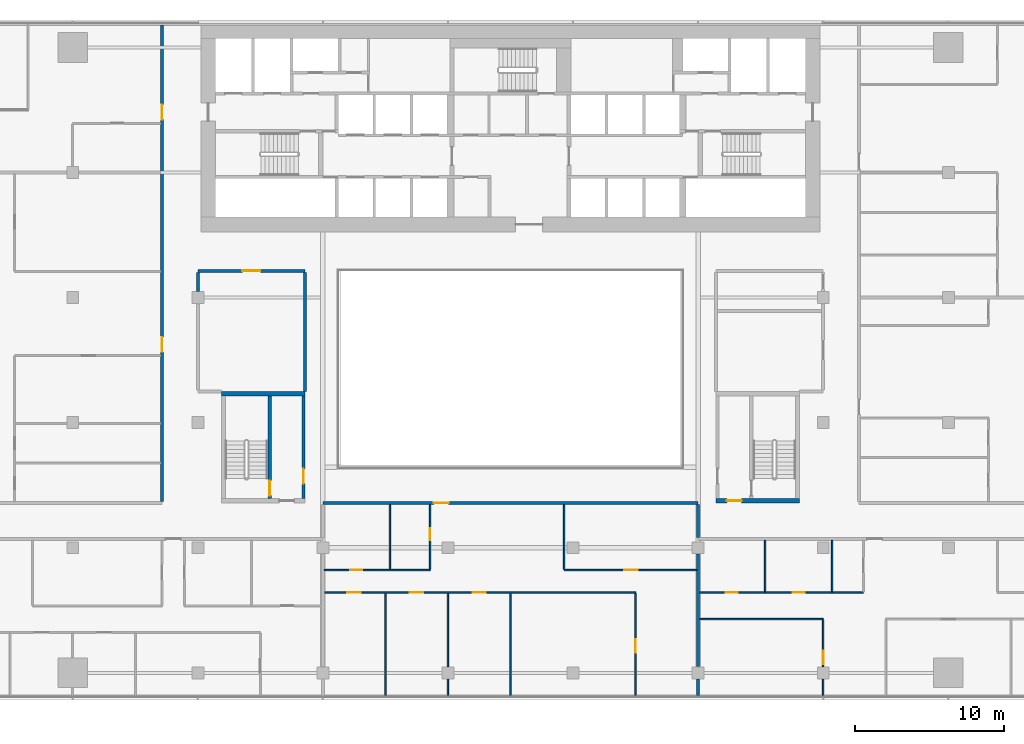
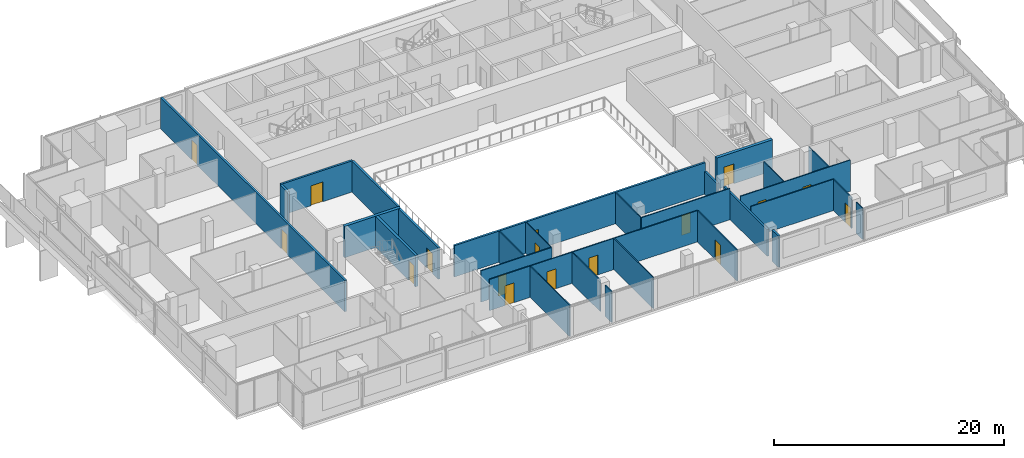
# One storey, part 17 of 25: 29 walls, 17 doors, 17 openings.
"""IFC4 building model written with IfcOpenShell, lengths in metres."""

from ifc_helpers import new_model, si_unit, direction, frame, frame_2d, origin, place, context, subcontext, project, spatial, rectangle, extrude, material, layer, layer_set, type_object, element, fill, save


model = new_model("IFC4")

# Units and contexts
model_context = context("Model", 3, precision=1e-05, world=origin(), true_north=direction((0.0, 1.0)))
body_context = subcontext(model_context, "Body", "Model", "MODEL_VIEW")
ifc_project = project(units=[si_unit("LENGTHUNIT", "METRE"), si_unit("AREAUNIT", "SQUARE_METRE"), si_unit("VOLUMEUNIT", "CUBIC_METRE"), si_unit("PLANEANGLEUNIT", "RADIAN"), si_unit("MASSUNIT", "GRAM", prefix="KILO")], contexts=[model_context])

# Site, building, storey
site_placement = place(None, origin())
site = spatial("IfcSite", under=ifc_project, at=site_placement, CompositionType="ELEMENT")
building_placement = place(site_placement, origin())
building = spatial("IfcBuilding", under=site, at=building_placement, Name="Saffron Gate Tower", CompositionType="ELEMENT")
storey_placement = place(building_placement, frame((0.0, 0.0, 131.25)))
storey = spatial("IfcBuildingStorey", under=building, at=storey_placement, Name="L31", CompositionType="ELEMENT", Elevation=131.25)

# Wall, opening, door
ifc_material_1 = material(Name="Gypsum board partition on steel studs", Category="steel")
ifc_layer_1 = layer(ifc_material_1, 0.199951171875)
ifc_layer_set_1 = layer_set([ifc_layer_1], Name="CW10 Core partition 200")
wall_type_1 = type_object("IfcWallType", Name="CW10 Core partition 200", PredefinedType="PARTITIONING", material=ifc_layer_set_1)
wall_1_placement = place(storey_placement, frame((73.699951171875, 43.5, 0.0), z_axis=(0.0, 0.0, 1.0), x_axis=(0.0, 1.0, 0.0)))
wall_1 = element("IfcWall", 1, at=wall_1_placement, inside=storey, type_object=wall_type_1, Name="Wall CW10-L31-D-4", PredefinedType="PARTITIONING", context=body_context, shape_type="SweptSolid", body=[
    extrude(rectangle(XDim=6.89990234375, YDim=0.199951171875, at=frame_2d((3.449951171875, 0.0))), origin(), (0.0, 0.0, 1.0), 3.320068359375),
])
opening_1_placement = place(wall_1_placement, frame((1.0, 0.0, 0.0)))
opening_1 = element("IfcOpeningElement", 2, at=opening_1_placement, cuts=wall_1, Name="Opening CR-19", PredefinedType="OPENING", context=body_context, shape_type="SweptSolid", body=[
    extrude(rectangle(XDim=1.0, YDim=2.10009765625, at=frame_2d((0.5, 1.050048828125))), frame((0.0, 0.10986328125, 0.0), z_axis=(0.0, -1.0, 0.0), x_axis=(1.0, 0.0, 0.0)), (0.0, 0.0, 1.0), 0.219970703125),
])
ifc_material_2 = material(Name="Steel fire door set", Category="steel")
door_type_1 = type_object("IfcDoorType", Name="CD4 Lobby door 1000x2100 EI 120", OperationType="NOTDEFINED", PredefinedType="DOOR", material=ifc_material_2)
door_1_placement = place(opening_1_placement, origin())
door_1 = element("IfcDoor", 3, at=door_1_placement, inside=storey, type_object=door_type_1, Name="DOOR CR-19", OperationType="SINGLE_SWING_RIGHT", OverallHeight=2.10009765625, OverallWidth=1.0, PredefinedType="DOOR", context=body_context, shape_type="SweptSolid", body=[
    extrude(rectangle(XDim=1.0, YDim=2.10009765625, at=frame_2d((0.5, 1.050048828125))), frame((0.0, 0.02490234375, 0.0), z_axis=(0.0, -1.0, 0.0), x_axis=(1.0, 0.0, 0.0)), (0.0, 0.0, 1.0), 0.050048828125),
])
fill(opening_1, door_1)

ifc_material_3 = material(Name="Concrete C70", Category="concrete")
ifc_layer_2 = layer(ifc_material_3, 0.25)
ifc_layer_set_2 = layer_set([ifc_layer_2], Name="CW2 RC core wall 250 C70")
wall_type_2 = type_object("IfcWallType", Name="CW2 RC core wall 250 C70", PredefinedType="SOLIDWALL", material=ifc_layer_set_2)
wall_2_placement = place(storey_placement, frame((71.425048828125, 43.5, 0.0), z_axis=(0.0, 0.0, 1.0), x_axis=(0.0, 1.0, 0.0)))
wall_2 = element("IfcWall", 4, at=wall_2_placement, inside=storey, type_object=wall_type_2, Name="Wall CW2-L31-D-3", PredefinedType="SOLIDWALL", context=body_context, shape_type="SweptSolid", body=[
    extrude(rectangle(XDim=6.89990234375, YDim=0.25, at=frame_2d((3.449951171875, 0.0))), origin(), (0.0, 0.0, 1.0), 3.320068359375),
])
opening_2_placement = place(wall_2_placement, frame((0.199951171875, 0.0, 0.0)))
opening_2 = element("IfcOpeningElement", 5, at=opening_2_placement, cuts=wall_2, Name="Opening CR-20", PredefinedType="OPENING", context=body_context, shape_type="SweptSolid", body=[
    extrude(rectangle(XDim=1.0, YDim=2.10009765625, at=frame_2d((0.5, 1.050048828125))), frame((0.0, 0.135009765625, 0.0), z_axis=(0.0, -1.0, 0.0), x_axis=(1.0, 0.0, 0.0)), (0.0, 0.0, 1.0), 0.27001953125),
])
door_type_2 = type_object("IfcDoorType", Name="CD5 Stair door 1000x2100 EI 120", OperationType="NOTDEFINED", PredefinedType="DOOR", material=ifc_material_2)
door_2_placement = place(opening_2_placement, origin())
door_2 = element("IfcDoor", 6, at=door_2_placement, inside=storey, type_object=door_type_2, Name="DOOR CR-20", OperationType="SINGLE_SWING_LEFT", OverallHeight=2.10009765625, OverallWidth=1.0, PredefinedType="DOOR", context=body_context, shape_type="SweptSolid", body=[
    extrude(rectangle(XDim=1.0, YDim=2.10009765625, at=frame_2d((0.5, 1.050048828125))), frame((0.0, 0.02490234375, 0.0), z_axis=(0.0, -1.0, 0.0), x_axis=(1.0, 0.0, 0.0)), (0.0, 0.0, 1.0), 0.050048828125),
])
fill(opening_2, door_2)

# Wall
ifc_layer_3 = layer(ifc_material_3, 0.300048828125)
ifc_layer_set_3 = layer_set([ifc_layer_3], Name="CW5 RC core wall 300 C70")
wall_type_3 = type_object("IfcWallType", Name="CW5 RC core wall 300 C70", PredefinedType="SOLIDWALL", material=ifc_layer_set_3)
wall_3_placement = place(storey_placement, frame((68.199951171875, 50.550048828125, 0.0), z_axis=(0.0, 0.0, 1.0), x_axis=(1.0, 0.0, 0.0)))
element("IfcWall", 7, at=wall_3_placement, inside=storey, type_object=wall_type_3, Name="Wall CW5-L31-D-5", PredefinedType="SOLIDWALL", context=body_context, shape_type="SweptSolid", body=[
    extrude(rectangle(XDim=5.60009765625, YDim=0.300048828125, at=frame_2d((2.800048828125, 0.0))), origin(), (0.0, 0.0, 1.0), 3.320068359375),
])

# Wall, opening, door
wall_4_placement = place(storey_placement, frame((101.39990234375, 43.35009765625, 0.0), z_axis=(0.0, 0.0, 1.0), x_axis=(1.0, 0.0, 0.0)))
wall_4 = element("IfcWall", 8, at=wall_4_placement, inside=storey, type_object=wall_type_3, Name="Wall CW5-L31-E-1", PredefinedType="SOLIDWALL", context=body_context, shape_type="SweptSolid", body=[
    extrude(rectangle(XDim=5.60009765625, YDim=0.300048828125, at=frame_2d((2.800048828125, 0.0))), origin(), (0.0, 0.0, 1.0), 3.320068359375),
])
opening_3_placement = place(wall_4_placement, frame((0.72509765625, 0.0, 0.0)))
opening_3 = element("IfcOpeningElement", 9, at=opening_3_placement, cuts=wall_4, Name="Opening CR-21", PredefinedType="OPENING", context=body_context, shape_type="SweptSolid", body=[
    extrude(rectangle(XDim=1.0, YDim=2.10009765625, at=frame_2d((0.5, 1.050048828125))), frame((0.0, 0.16015625, 0.0), z_axis=(0.0, -1.0, 0.0), x_axis=(1.0, 0.0, 0.0)), (0.0, 0.0, 1.0), 0.320068359375),
])
door_3_placement = place(opening_3_placement, origin())
door_3 = element("IfcDoor", 10, at=door_3_placement, inside=storey, type_object=door_type_1, Name="DOOR CR-21", OperationType="SINGLE_SWING_RIGHT", OverallHeight=2.10009765625, OverallWidth=1.0, PredefinedType="DOOR", context=body_context, shape_type="SweptSolid", body=[
    extrude(rectangle(XDim=1.0, YDim=2.10009765625, at=frame_2d((0.5, 1.050048828125))), frame((0.0, 0.02490234375, 0.0), z_axis=(0.0, -1.0, 0.0), x_axis=(1.0, 0.0, 0.0)), (0.0, 0.0, 1.0), 0.050048828125),
])
fill(opening_3, door_3)

# Wall
ifc_material_4 = material(Name="Plasterboard on steel studs", Category="steel")
ifc_layer_4 = layer(ifc_material_4, 0.10009765625)
ifc_layer_set_4 = layer_set([ifc_layer_4], Name="PW1 Partition 100")
wall_type_4 = type_object("IfcWallType", Name="PW1 Partition 100", PredefinedType="PARTITIONING", material=ifc_layer_set_4)
wall_5_placement = place(storey_placement, frame((100.300048828125, 35.39990234375, 0.0), z_axis=(0.0, 0.0, 1.0), x_axis=(1.0, 0.0, 0.0)))
element("IfcWall", 11, at=wall_5_placement, inside=storey, type_object=wall_type_4, Name="Partition B4-2", PredefinedType="PARTITIONING", context=body_context, shape_type="SweptSolid", body=[
    extrude(rectangle(XDim=8.300048828125, YDim=0.10009765625, at=frame_2d((4.14990234375, 0.0))), origin(), (0.0, 0.0, 1.0), 3.320068359375),
])

# Wall, openings, doors
wall_6_placement = place(storey_placement, frame((96.0, 37.199951171875, 0.0), z_axis=(0.0, 0.0, 1.0), x_axis=(-1.0, 0.0, 0.0)))
wall_6 = element("IfcWall", 12, at=wall_6_placement, inside=storey, type_object=wall_type_4, Name="Partition B4-6", PredefinedType="PARTITIONING", context=body_context, shape_type="SweptSolid", body=[
    extrude(rectangle(XDim=20.89990234375, YDim=0.10009765625, at=frame_2d((10.449951171875, 0.0))), origin(), (0.0, 0.0, 1.0), 3.320068359375),
])
opening_4_placement = place(wall_6_placement, frame((10.050048828125, 0.0, 0.0)))
opening_4 = element("IfcOpeningElement", 13, at=opening_4_placement, cuts=wall_6, Name="Opening B4-15", PredefinedType="OPENING", context=body_context, shape_type="SweptSolid", body=[
    extrude(rectangle(XDim=0.89990234375, YDim=2.10009765625, at=frame_2d((0.449951171875, 1.050048828125))), frame((0.0, 0.06005859375, 0.0), z_axis=(0.0, -1.0, 0.0), x_axis=(1.0, 0.0, 0.0)), (0.0, 0.0, 1.0), 0.1201171875),
])
opening_5_placement = place(wall_6_placement, frame((14.25, 0.0, 0.0)))
opening_5 = element("IfcOpeningElement", 14, at=opening_5_placement, cuts=wall_6, Name="Opening B4-14", PredefinedType="OPENING", context=body_context, shape_type="SweptSolid", body=[
    extrude(rectangle(XDim=0.89990234375, YDim=2.10009765625, at=frame_2d((0.449951171875, 1.050048828125))), frame((0.0, 0.06005859375, 0.0), z_axis=(0.0, -1.0, 0.0), x_axis=(1.0, 0.0, 0.0)), (0.0, 0.0, 1.0), 0.1201171875),
])
opening_6_placement = place(wall_6_placement, frame((18.449951171875, 0.0, 0.0)))
opening_6 = element("IfcOpeningElement", 15, at=opening_6_placement, cuts=wall_6, Name="Opening B4-13", PredefinedType="OPENING", context=body_context, shape_type="SweptSolid", body=[
    extrude(rectangle(XDim=0.89990234375, YDim=2.10009765625, at=frame_2d((0.449951171875, 1.050048828125))), frame((0.0, 0.06005859375, 0.0), z_axis=(0.0, -1.0, 0.0), x_axis=(1.0, 0.0, 0.0)), (0.0, 0.0, 1.0), 0.1201171875),
])
ifc_material_5 = material(Name="Timber door set", Category="wood")
door_type_3 = type_object("IfcDoorType", Name="RD1 Room door 900x2100", OperationType="NOTDEFINED", PredefinedType="DOOR", material=ifc_material_5)
door_4_placement = place(opening_4_placement, origin())
door_4 = element("IfcDoor", 16, at=door_4_placement, inside=storey, type_object=door_type_3, Name="Door B4-15", OperationType="SINGLE_SWING_RIGHT", OverallHeight=2.10009765625, OverallWidth=0.89990234375, PredefinedType="DOOR", context=body_context, shape_type="SweptSolid", body=[
    extrude(rectangle(XDim=0.89990234375, YDim=2.10009765625, at=frame_2d((0.449951171875, 1.050048828125))), frame((0.0, 0.02490234375, 0.0), z_axis=(0.0, -1.0, 0.0), x_axis=(1.0, 0.0, 0.0)), (0.0, 0.0, 1.0), 0.050048828125),
])
fill(opening_4, door_4)
door_5_placement = place(opening_5_placement, origin())
door_5 = element("IfcDoor", 17, at=door_5_placement, inside=storey, type_object=door_type_3, Name="Door B4-14", OperationType="SINGLE_SWING_RIGHT", OverallHeight=2.10009765625, OverallWidth=0.89990234375, PredefinedType="DOOR", context=body_context, shape_type="SweptSolid", body=[
    extrude(rectangle(XDim=0.89990234375, YDim=2.10009765625, at=frame_2d((0.449951171875, 1.050048828125))), frame((0.0, 0.02490234375, 0.0), z_axis=(0.0, -1.0, 0.0), x_axis=(1.0, 0.0, 0.0)), (0.0, 0.0, 1.0), 0.050048828125),
])
fill(opening_5, door_5)
door_6_placement = place(opening_6_placement, origin())
door_6 = element("IfcDoor", 18, at=door_6_placement, inside=storey, type_object=door_type_3, Name="Door B4-13", OperationType="SINGLE_SWING_RIGHT", OverallHeight=2.10009765625, OverallWidth=0.89990234375, PredefinedType="DOOR", context=body_context, shape_type="SweptSolid", body=[
    extrude(rectangle(XDim=0.89990234375, YDim=2.10009765625, at=frame_2d((0.449951171875, 1.050048828125))), frame((0.0, 0.02490234375, 0.0), z_axis=(0.0, -1.0, 0.0), x_axis=(1.0, 0.0, 0.0)), (0.0, 0.0, 1.0), 0.050048828125),
])
fill(opening_6, door_6)

wall_7_placement = place(storey_placement, frame((100.300048828125, 37.199951171875, 0.0), z_axis=(0.0, 0.0, 1.0), x_axis=(1.0, 0.0, 0.0)))
wall_7 = element("IfcWall", 19, at=wall_7_placement, inside=storey, type_object=wall_type_4, Name="Partition B4-7", PredefinedType="PARTITIONING", context=body_context, shape_type="SweptSolid", body=[
    extrude(rectangle(XDim=11.0, YDim=0.10009765625, at=frame_2d((5.5, 0.0))), origin(), (0.0, 0.0, 1.0), 3.320068359375),
])
opening_7_placement = place(wall_7_placement, frame((1.75, 0.0, 0.0)))
opening_7 = element("IfcOpeningElement", 20, at=opening_7_placement, cuts=wall_7, Name="Opening B4-40", PredefinedType="OPENING", context=body_context, shape_type="SweptSolid", body=[
    extrude(rectangle(XDim=0.800048828125, YDim=2.10009765625, at=frame_2d((0.39990234375, 1.050048828125))), frame((0.0, 0.06005859375, 0.0), z_axis=(0.0, -1.0, 0.0), x_axis=(1.0, 0.0, 0.0)), (0.0, 0.0, 1.0), 0.1201171875),
])
opening_8_placement = place(wall_7_placement, frame((6.25, 0.0, 0.0)))
opening_8 = element("IfcOpeningElement", 21, at=opening_8_placement, cuts=wall_7, Name="Opening B4-41", PredefinedType="OPENING", context=body_context, shape_type="SweptSolid", body=[
    extrude(rectangle(XDim=0.800048828125, YDim=2.10009765625, at=frame_2d((0.39990234375, 1.050048828125))), frame((0.0, 0.06005859375, 0.0), z_axis=(0.0, -1.0, 0.0), x_axis=(1.0, 0.0, 0.0)), (0.0, 0.0, 1.0), 0.1201171875),
])
door_type_4 = type_object("IfcDoorType", Name="RD2 Bathroom door 800x2100", OperationType="NOTDEFINED", PredefinedType="DOOR", material=ifc_material_5)
door_7_placement = place(opening_7_placement, origin())
door_7 = element("IfcDoor", 22, at=door_7_placement, inside=storey, type_object=door_type_4, Name="Door B4-40", OperationType="SINGLE_SWING_LEFT", OverallHeight=2.10009765625, OverallWidth=0.800048828125, PredefinedType="DOOR", context=body_context, shape_type="SweptSolid", body=[
    extrude(rectangle(XDim=0.800048828125, YDim=2.10009765625, at=frame_2d((0.39990234375, 1.050048828125))), frame((0.0, 0.02490234375, 0.0), z_axis=(0.0, -1.0, 0.0), x_axis=(1.0, 0.0, 0.0)), (0.0, 0.0, 1.0), 0.050048828125),
])
fill(opening_7, door_7)
door_8_placement = place(opening_8_placement, origin())
door_8 = element("IfcDoor", 23, at=door_8_placement, inside=storey, type_object=door_type_4, Name="Door B4-41", OperationType="SINGLE_SWING_RIGHT", OverallHeight=2.10009765625, OverallWidth=0.800048828125, PredefinedType="DOOR", context=body_context, shape_type="SweptSolid", body=[
    extrude(rectangle(XDim=0.800048828125, YDim=2.10009765625, at=frame_2d((0.39990234375, 1.050048828125))), frame((0.0, 0.02490234375, 0.0), z_axis=(0.0, -1.0, 0.0), x_axis=(1.0, 0.0, 0.0)), (0.0, 0.0, 1.0), 0.050048828125),
])
fill(opening_8, door_8)

# Wall, opening, door
wall_8_placement = place(storey_placement, frame((75.10009765625, 38.699951171875, 0.0), z_axis=(0.0, 0.0, 1.0), x_axis=(1.0, 0.0, 0.0)))
wall_8 = element("IfcWall", 24, at=wall_8_placement, inside=storey, type_object=wall_type_4, Name="Partition B4-9", PredefinedType="PARTITIONING", context=body_context, shape_type="SweptSolid", body=[
    extrude(rectangle(XDim=7.099853515625, YDim=0.10009765625, at=frame_2d((3.5498046875, 0.0))), origin(), (0.0, 0.0, 1.0), 3.320068359375),
])
opening_9_placement = place(wall_8_placement, frame((1.75, 0.0, 0.0)))
opening_9 = element("IfcOpeningElement", 25, at=opening_9_placement, cuts=wall_8, Name="Opening B4-38", PredefinedType="OPENING", context=body_context, shape_type="SweptSolid", body=[
    extrude(rectangle(XDim=0.800048828125, YDim=2.10009765625, at=frame_2d((0.39990234375, 1.050048828125))), frame((0.0, 0.06005859375, 0.0), z_axis=(0.0, -1.0, 0.0), x_axis=(1.0, 0.0, 0.0)), (0.0, 0.0, 1.0), 0.1201171875),
])
door_9_placement = place(opening_9_placement, origin())
door_9 = element("IfcDoor", 26, at=door_9_placement, inside=storey, type_object=door_type_4, Name="Door B4-38", OperationType="SINGLE_SWING_LEFT", OverallHeight=2.10009765625, OverallWidth=0.800048828125, PredefinedType="DOOR", context=body_context, shape_type="SweptSolid", body=[
    extrude(rectangle(XDim=0.800048828125, YDim=2.10009765625, at=frame_2d((0.39990234375, 1.050048828125))), frame((0.0, 0.02490234375, 0.0), z_axis=(0.0, -1.0, 0.0), x_axis=(1.0, 0.0, 0.0)), (0.0, 0.0, 1.0), 0.050048828125),
])
fill(opening_9, door_9)

wall_9_placement = place(storey_placement, frame((91.199951171875, 38.699951171875, 0.0), z_axis=(0.0, 0.0, 1.0), x_axis=(1.0, 0.0, 0.0)))
wall_9 = element("IfcWall", 27, at=wall_9_placement, inside=storey, type_object=wall_type_4, Name="Partition B4-10", PredefinedType="PARTITIONING", context=body_context, shape_type="SweptSolid", body=[
    extrude(rectangle(XDim=8.900146484375, YDim=0.10009765625, at=frame_2d((4.4501953125, 0.0))), origin(), (0.0, 0.0, 1.0), 3.320068359375),
])
opening_10_placement = place(wall_9_placement, frame((4.050048828125, 0.0, 0.0)))
opening_10 = element("IfcOpeningElement", 28, at=opening_10_placement, cuts=wall_9, Name="Opening B4-17", PredefinedType="OPENING", context=body_context, shape_type="SweptSolid", body=[
    extrude(rectangle(XDim=0.89990234375, YDim=2.10009765625, at=frame_2d((0.449951171875, 1.050048828125))), frame((0.0, 0.06005859375, 0.0), z_axis=(0.0, -1.0, 0.0), x_axis=(1.0, 0.0, 0.0)), (0.0, 0.0, 1.0), 0.1201171875),
])
door_10_placement = place(opening_10_placement, origin())
door_10 = element("IfcDoor", 29, at=door_10_placement, inside=storey, type_object=door_type_3, Name="Door B4-17", OperationType="SINGLE_SWING_RIGHT", OverallHeight=2.10009765625, OverallWidth=0.89990234375, PredefinedType="DOOR", context=body_context, shape_type="SweptSolid", body=[
    extrude(rectangle(XDim=0.89990234375, YDim=2.10009765625, at=frame_2d((0.449951171875, 1.050048828125))), frame((0.0, 0.02490234375, 0.0), z_axis=(0.0, -1.0, 0.0), x_axis=(1.0, 0.0, 0.0)), (0.0, 0.0, 1.0), 0.050048828125),
])
fill(opening_10, door_10)

# Walls
wall_10_placement = place(storey_placement, frame((79.199951171875, 37.14990234375, 0.0), z_axis=(0.0, 0.0, 1.0), x_axis=(0.0, -1.0, 0.0)))
element("IfcWall", 30, at=wall_10_placement, inside=storey, type_object=wall_type_4, Name="Partition B4-74", PredefinedType="PARTITIONING", context=body_context, shape_type="SweptSolid", body=[
    extrude(rectangle(XDim=6.869873046875, YDim=0.10009765625, at=frame_2d((3.43505859375, 0.0))), origin(), (0.0, 0.0, 1.0), 3.320068359375),
])
wall_11_placement = place(storey_placement, frame((79.5, 43.10009765625, 0.0), z_axis=(0.0, 0.0, 1.0), x_axis=(0.0, -1.0, 0.0)))
element("IfcWall", 31, at=wall_11_placement, inside=storey, type_object=wall_type_4, Name="Partition B4-75", PredefinedType="PARTITIONING", context=body_context, shape_type="SweptSolid", body=[
    extrude(rectangle(XDim=4.35009765625, YDim=0.10009765625, at=frame_2d((2.175048828125, 0.0))), origin(), (0.0, 0.0, 1.0), 3.320068359375),
])

# Wall, opening, door
wall_12_placement = place(storey_placement, frame((82.199951171875, 38.75, 0.0), z_axis=(0.0, 0.0, 1.0), x_axis=(0.0, 1.0, 0.0)))
wall_12 = element("IfcWall", 32, at=wall_12_placement, inside=storey, type_object=wall_type_4, Name="Partition B4-76", PredefinedType="PARTITIONING", context=body_context, shape_type="SweptSolid", body=[
    extrude(rectangle(XDim=4.35009765625, YDim=0.10009765625, at=frame_2d((2.175048828125, 0.0))), origin(), (0.0, 0.0, 1.0), 3.320068359375),
])
opening_11_placement = place(wall_12_placement, frame((1.949951171875, 0.0, 0.0)))
opening_11 = element("IfcOpeningElement", 33, at=opening_11_placement, cuts=wall_12, Name="Opening B4-39", PredefinedType="OPENING", context=body_context, shape_type="SweptSolid", body=[
    extrude(rectangle(XDim=0.800048828125, YDim=2.10009765625, at=frame_2d((0.39990234375, 1.050048828125))), frame((0.0, 0.06005859375, 0.0), z_axis=(0.0, -1.0, 0.0), x_axis=(1.0, 0.0, 0.0)), (0.0, 0.0, 1.0), 0.1201171875),
])
door_11_placement = place(opening_11_placement, origin())
door_11 = element("IfcDoor", 34, at=door_11_placement, inside=storey, type_object=door_type_4, Name="Door B4-39", OperationType="SINGLE_SWING_RIGHT", OverallHeight=2.10009765625, OverallWidth=0.800048828125, PredefinedType="DOOR", context=body_context, shape_type="SweptSolid", body=[
    extrude(rectangle(XDim=0.800048828125, YDim=2.10009765625, at=frame_2d((0.39990234375, 1.050048828125))), frame((0.0, 0.02490234375, 0.0), z_axis=(0.0, -1.0, 0.0), x_axis=(1.0, 0.0, 0.0)), (0.0, 0.0, 1.0), 0.050048828125),
])
fill(opening_11, door_11)

# Walls
wall_13_placement = place(storey_placement, frame((83.39990234375, 31.3798828125, 0.0), z_axis=(0.0, 0.0, 1.0), x_axis=(0.0, -1.0, 0.0)))
element("IfcWall", 35, at=wall_13_placement, inside=storey, type_object=wall_type_4, Name="Partition B4-77", PredefinedType="PARTITIONING", context=body_context, shape_type="SweptSolid", body=[
    extrude(rectangle(XDim=1.099853515625, YDim=0.10009765625, at=frame_2d((0.5498046875, 0.0))), origin(), (0.0, 0.0, 1.0), 3.320068359375),
])
wall_14_placement = place(storey_placement, frame((83.39990234375, 37.14990234375, 0.0), z_axis=(0.0, 0.0, 1.0), x_axis=(0.0, -1.0, 0.0)))
element("IfcWall", 36, at=wall_14_placement, inside=storey, type_object=wall_type_4, Name="Partition B4-78", PredefinedType="PARTITIONING", context=body_context, shape_type="SweptSolid", body=[
    extrude(rectangle(XDim=4.929931640625, YDim=0.10009765625, at=frame_2d((2.46484375, 0.0))), origin(), (0.0, 0.0, 1.0), 3.320068359375),
])
wall_15_placement = place(storey_placement, frame((87.60009765625, 37.14990234375, 0.0), z_axis=(0.0, 0.0, 1.0), x_axis=(0.0, -1.0, 0.0)))
element("IfcWall", 37, at=wall_15_placement, inside=storey, type_object=wall_type_4, Name="Partition B4-79", PredefinedType="PARTITIONING", context=body_context, shape_type="SweptSolid", body=[
    extrude(rectangle(XDim=6.869873046875, YDim=0.10009765625, at=frame_2d((3.43505859375, 0.0))), origin(), (0.0, 0.0, 1.0), 3.320068359375),
])
wall_16_placement = place(storey_placement, frame((91.199951171875, 43.10009765625, 0.0), z_axis=(0.0, 0.0, 1.0), x_axis=(0.0, -1.0, 0.0)))
element("IfcWall", 38, at=wall_16_placement, inside=storey, type_object=wall_type_4, Name="Partition B4-80", PredefinedType="PARTITIONING", context=body_context, shape_type="SweptSolid", body=[
    extrude(rectangle(XDim=4.35009765625, YDim=0.10009765625, at=frame_2d((2.175048828125, 0.0))), origin(), (0.0, 0.0, 1.0), 3.320068359375),
])

# Wall, opening, door
wall_17_placement = place(storey_placement, frame((96.0, 30.280029296875, 0.0), z_axis=(0.0, 0.0, 1.0), x_axis=(0.0, 1.0, 0.0)))
wall_17 = element("IfcWall", 39, at=wall_17_placement, inside=storey, type_object=wall_type_4, Name="Partition B4-81", PredefinedType="PARTITIONING", context=body_context, shape_type="SweptSolid", body=[
    extrude(rectangle(XDim=6.869873046875, YDim=0.10009765625, at=frame_2d((3.43505859375, 0.0))), origin(), (0.0, 0.0, 1.0), 3.320068359375),
])
opening_12_placement = place(wall_17_placement, frame((2.8701171875, 0.0, 0.0)))
opening_12 = element("IfcOpeningElement", 40, at=opening_12_placement, cuts=wall_17, Name="Opening B4-16", PredefinedType="OPENING", context=body_context, shape_type="SweptSolid", body=[
    extrude(rectangle(XDim=0.89990234375, YDim=2.10009765625, at=frame_2d((0.449951171875, 1.050048828125))), frame((0.0, 0.06005859375, 0.0), z_axis=(0.0, -1.0, 0.0), x_axis=(1.0, 0.0, 0.0)), (0.0, 0.0, 1.0), 0.1201171875),
])
door_12_placement = place(opening_12_placement, origin())
door_12 = element("IfcDoor", 41, at=door_12_placement, inside=storey, type_object=door_type_3, Name="Door B4-16", OperationType="SINGLE_SWING_LEFT", OverallHeight=2.10009765625, OverallWidth=0.89990234375, PredefinedType="DOOR", context=body_context, shape_type="SweptSolid", body=[
    extrude(rectangle(XDim=0.89990234375, YDim=2.10009765625, at=frame_2d((0.449951171875, 1.050048828125))), frame((0.0, 0.02490234375, 0.0), z_axis=(0.0, -1.0, 0.0), x_axis=(1.0, 0.0, 0.0)), (0.0, 0.0, 1.0), 0.050048828125),
])
fill(opening_12, door_12)

# Walls
wall_18_placement = place(storey_placement, frame((104.699951171875, 40.699951171875, 0.0), z_axis=(0.0, 0.0, 1.0), x_axis=(0.0, -1.0, 0.0)))
element("IfcWall", 42, at=wall_18_placement, inside=storey, type_object=wall_type_4, Name="Partition B4-86", PredefinedType="PARTITIONING", context=body_context, shape_type="SweptSolid", body=[
    extrude(rectangle(XDim=3.449951171875, YDim=0.10009765625, at=frame_2d((1.72509765625, 0.0))), origin(), (0.0, 0.0, 1.0), 3.320068359375),
])
wall_19_placement = place(storey_placement, frame((108.60009765625, 31.3798828125, 0.0), z_axis=(0.0, 0.0, 1.0), x_axis=(0.0, -1.0, 0.0)))
element("IfcWall", 43, at=wall_19_placement, inside=storey, type_object=wall_type_4, Name="Partition B4-89", PredefinedType="PARTITIONING", context=body_context, shape_type="SweptSolid", body=[
    extrude(rectangle(XDim=1.099853515625, YDim=0.10009765625, at=frame_2d((0.5498046875, 0.0))), origin(), (0.0, 0.0, 1.0), 3.320068359375),
])

# Wall, opening, door
wall_20_placement = place(storey_placement, frame((108.60009765625, 32.219970703125, 0.0), z_axis=(0.0, 0.0, 1.0), x_axis=(0.0, 1.0, 0.0)))
wall_20 = element("IfcWall", 44, at=wall_20_placement, inside=storey, type_object=wall_type_4, Name="Partition B4-90", PredefinedType="PARTITIONING", context=body_context, shape_type="SweptSolid", body=[
    extrude(rectangle(XDim=3.130126953125, YDim=0.10009765625, at=frame_2d((1.56494140625, 0.0))), origin(), (0.0, 0.0, 1.0), 3.320068359375),
])
opening_13_placement = place(wall_20_placement, frame((0.14990234375, 0.0, 0.0)))
opening_13 = element("IfcOpeningElement", 45, at=opening_13_placement, cuts=wall_20, Name="Opening B4-18", PredefinedType="OPENING", context=body_context, shape_type="SweptSolid", body=[
    extrude(rectangle(XDim=0.89990234375, YDim=2.10009765625, at=frame_2d((0.449951171875, 1.050048828125))), frame((0.0, 0.06005859375, 0.0), z_axis=(0.0, -1.0, 0.0), x_axis=(1.0, 0.0, 0.0)), (0.0, 0.0, 1.0), 0.1201171875),
])
door_13_placement = place(opening_13_placement, origin())
door_13 = element("IfcDoor", 46, at=door_13_placement, inside=storey, type_object=door_type_3, Name="Door B4-18", OperationType="SINGLE_SWING_LEFT", OverallHeight=2.10009765625, OverallWidth=0.89990234375, PredefinedType="DOOR", context=body_context, shape_type="SweptSolid", body=[
    extrude(rectangle(XDim=0.89990234375, YDim=2.10009765625, at=frame_2d((0.449951171875, 1.050048828125))), frame((0.0, 0.02490234375, 0.0), z_axis=(0.0, -1.0, 0.0), x_axis=(1.0, 0.0, 0.0)), (0.0, 0.0, 1.0), 0.050048828125),
])
fill(opening_13, door_13)

# Walls
wall_21_placement = place(storey_placement, frame((109.199951171875, 40.699951171875, 0.0), z_axis=(0.0, 0.0, 1.0), x_axis=(0.0, -1.0, 0.0)))
element("IfcWall", 47, at=wall_21_placement, inside=storey, type_object=wall_type_4, Name="Partition B4-91", PredefinedType="PARTITIONING", context=body_context, shape_type="SweptSolid", body=[
    extrude(rectangle(XDim=3.449951171875, YDim=0.10009765625, at=frame_2d((1.72509765625, 0.0))), origin(), (0.0, 0.0, 1.0), 3.320068359375),
])
ifc_material_6 = material(Name="Clay brick masonry, rendered", Category="masonry")
ifc_layer_5 = layer(ifc_material_6, 0.199951171875)
ifc_layer_set_5 = layer_set([ifc_layer_5], Name="PW2 Demising wall 200")
wall_type_5 = type_object("IfcWallType", Name="PW2 Demising wall 200", PredefinedType="PARTITIONING", material=ifc_layer_set_5)
wall_22_placement = place(storey_placement, frame((100.199951171875, 31.3798828125, 0.0), z_axis=(0.0, 0.0, 1.0), x_axis=(0.0, -1.0, 0.0)))
element("IfcWall", 48, at=wall_22_placement, inside=storey, type_object=wall_type_5, Name="Wall B4-83", PredefinedType="PARTITIONING", context=body_context, shape_type="SweptSolid", body=[
    extrude(rectangle(XDim=1.099853515625, YDim=0.199951171875, at=frame_2d((0.5498046875, 0.0))), origin(), (0.0, 0.0, 1.0), 3.320068359375),
])
wall_23_placement = place(storey_placement, frame((100.199951171875, 39.780029296875, 0.0), z_axis=(0.0, 0.0, 1.0), x_axis=(0.0, -1.0, 0.0)))
element("IfcWall", 49, at=wall_23_placement, inside=storey, type_object=wall_type_5, Name="Wall B4-84", PredefinedType="PARTITIONING", context=body_context, shape_type="SweptSolid", body=[
    extrude(rectangle(XDim=7.56005859375, YDim=0.199951171875, at=frame_2d((3.780029296875, 0.0))), origin(), (0.0, 0.0, 1.0), 2.830078125),
])

# Wall, opening, door
ifc_layer_6 = layer(ifc_material_6, 0.199951171875)
ifc_layer_set_6 = layer_set([ifc_layer_6], Name="PW3 Corridor wall 200")
wall_type_6 = type_object("IfcWallType", Name="PW3 Corridor wall 200", PredefinedType="PARTITIONING", material=ifc_layer_set_6)
wall_24_placement = place(storey_placement, frame((100.199951171875, 43.199951171875, 0.0), z_axis=(0.0, 0.0, 1.0), x_axis=(-1.0, 0.0, 0.0)))
wall_24 = element("IfcWall", 50, at=wall_24_placement, inside=storey, type_object=wall_type_6, Name="Wall B4-16", PredefinedType="PARTITIONING", context=body_context, shape_type="SweptSolid", body=[
    extrude(rectangle(XDim=25.199951171875, YDim=0.199951171875, at=frame_2d((12.60009765625, 0.0))), origin(), (0.0, 0.0, 1.0), 3.320068359375),
])
opening_14_placement = place(wall_24_placement, frame((16.75, 0.0, 0.0)))
opening_14 = element("IfcOpeningElement", 51, at=opening_14_placement, cuts=wall_24, Name="Opening B4-2", PredefinedType="OPENING", context=body_context, shape_type="SweptSolid", body=[
    extrude(rectangle(XDim=1.0, YDim=2.10009765625, at=frame_2d((0.5, 1.050048828125))), frame((0.0, 0.10986328125, 0.0), z_axis=(0.0, -1.0, 0.0), x_axis=(1.0, 0.0, 0.0)), (0.0, 0.0, 1.0), 0.219970703125),
])
ifc_material_7 = material(Name="Timber fire door set", Category="wood")
door_type_5 = type_object("IfcDoorType", Name="FD1 Flat entry door 1000x2100", OperationType="NOTDEFINED", PredefinedType="DOOR", material=ifc_material_7)
door_14_placement = place(opening_14_placement, origin())
door_14 = element("IfcDoor", 52, at=door_14_placement, inside=storey, type_object=door_type_5, Name="Door B4-2", OperationType="SINGLE_SWING_RIGHT", OverallHeight=2.10009765625, OverallWidth=1.0, PredefinedType="DOOR", context=body_context, shape_type="SweptSolid", body=[
    extrude(rectangle(XDim=1.0, YDim=2.10009765625, at=frame_2d((0.5, 1.050048828125))), frame((0.0, 0.02490234375, 0.0), z_axis=(0.0, -1.0, 0.0), x_axis=(1.0, 0.0, 0.0)), (0.0, 0.0, 1.0), 0.050048828125),
])
fill(opening_14, door_14)

wall_25_placement = place(storey_placement, frame((73.800048828125, 58.800048828125, 0.0), z_axis=(0.0, 0.0, 1.0), x_axis=(-1.0, 0.0, 0.0)))
wall_25 = element("IfcWall", 53, at=wall_25_placement, inside=storey, type_object=wall_type_6, Name="Wall B4-39", PredefinedType="PARTITIONING", context=body_context, shape_type="SweptSolid", body=[
    extrude(rectangle(XDim=7.199951171875, YDim=0.199951171875, at=frame_2d((3.60009765625, 0.0))), origin(), (0.0, 0.0, 1.0), 3.320068359375),
])
opening_15_placement = place(wall_25_placement, frame((3.0, 0.0, 0.0)))
opening_15 = element("IfcOpeningElement", 54, at=opening_15_placement, cuts=wall_25, Name="Opening B4-49", PredefinedType="OPENING", context=body_context, shape_type="SweptSolid", body=[
    extrude(rectangle(XDim=1.199951171875, YDim=2.10009765625, at=frame_2d((0.60009765625, 1.050048828125))), frame((0.0, 0.10986328125, 0.0), z_axis=(0.0, -1.0, 0.0), x_axis=(1.0, 0.0, 0.0)), (0.0, 0.0, 1.0), 0.219970703125),
])
door_type_6 = type_object("IfcDoorType", Name="HD1 Hall door 1200x2100", OperationType="NOTDEFINED", PredefinedType="DOOR", material=ifc_material_5)
door_15_placement = place(opening_15_placement, origin())
door_15 = element("IfcDoor", 55, at=door_15_placement, inside=storey, type_object=door_type_6, Name="Door B4-49", OperationType="SINGLE_SWING_LEFT", OverallHeight=2.10009765625, OverallWidth=1.199951171875, PredefinedType="DOOR", context=body_context, shape_type="SweptSolid", body=[
    extrude(rectangle(XDim=1.199951171875, YDim=2.10009765625, at=frame_2d((0.60009765625, 1.050048828125))), frame((0.0, 0.02490234375, 0.0), z_axis=(0.0, -1.0, 0.0), x_axis=(1.0, 0.0, 0.0)), (0.0, 0.0, 1.0), 0.050048828125),
])
fill(opening_15, door_15)

# Wall, openings, doors
wall_26_placement = place(storey_placement, frame((64.199951171875, 43.300048828125, 0.0), z_axis=(0.0, 0.0, 1.0), x_axis=(0.0, 1.0, 0.0)))
wall_26 = element("IfcWall", 56, at=wall_26_placement, inside=storey, type_object=wall_type_6, Name="Wall B4-63", PredefinedType="PARTITIONING", context=body_context, shape_type="SweptSolid", body=[
    extrude(rectangle(XDim=32.02001953125, YDim=0.199951171875, at=frame_2d((16.010009765625, 0.0))), origin(), (0.0, 0.0, 1.0), 3.320068359375),
])
opening_16_placement = place(wall_26_placement, frame((10.050048828125, 0.0, 0.0)))
opening_16 = element("IfcOpeningElement", 57, at=opening_16_placement, cuts=wall_26, Name="Opening B4-4", PredefinedType="OPENING", context=body_context, shape_type="SweptSolid", body=[
    extrude(rectangle(XDim=1.0, YDim=2.10009765625, at=frame_2d((0.5, 1.050048828125))), frame((0.0, 0.10986328125, 0.0), z_axis=(0.0, -1.0, 0.0), x_axis=(1.0, 0.0, 0.0)), (0.0, 0.0, 1.0), 0.219970703125),
])
opening_17_placement = place(wall_26_placement, frame((25.64990234375, 0.0, 0.0)))
opening_17 = element("IfcOpeningElement", 58, at=opening_17_placement, cuts=wall_26, Name="Opening B4-5", PredefinedType="OPENING", context=body_context, shape_type="SweptSolid", body=[
    extrude(rectangle(XDim=1.0, YDim=2.10009765625, at=frame_2d((0.5, 1.050048828125))), frame((0.0, 0.10986328125, 0.0), z_axis=(0.0, -1.0, 0.0), x_axis=(1.0, 0.0, 0.0)), (0.0, 0.0, 1.0), 0.219970703125),
])
door_16_placement = place(opening_16_placement, origin())
door_16 = element("IfcDoor", 59, at=door_16_placement, inside=storey, type_object=door_type_5, Name="Door B4-4", OperationType="SINGLE_SWING_RIGHT", OverallHeight=2.10009765625, OverallWidth=1.0, PredefinedType="DOOR", context=body_context, shape_type="SweptSolid", body=[
    extrude(rectangle(XDim=1.0, YDim=2.10009765625, at=frame_2d((0.5, 1.050048828125))), frame((0.0, 0.02490234375, 0.0), z_axis=(0.0, -1.0, 0.0), x_axis=(1.0, 0.0, 0.0)), (0.0, 0.0, 1.0), 0.050048828125),
])
fill(opening_16, door_16)
door_17_placement = place(opening_17_placement, origin())
door_17 = element("IfcDoor", 60, at=door_17_placement, inside=storey, type_object=door_type_5, Name="Door B4-5", OperationType="SINGLE_SWING_LEFT", OverallHeight=2.10009765625, OverallWidth=1.0, PredefinedType="DOOR", context=body_context, shape_type="SweptSolid", body=[
    extrude(rectangle(XDim=1.0, YDim=2.10009765625, at=frame_2d((0.5, 1.050048828125))), frame((0.0, 0.02490234375, 0.0), z_axis=(0.0, -1.0, 0.0), x_axis=(1.0, 0.0, 0.0)), (0.0, 0.0, 1.0), 0.050048828125),
])
fill(opening_17, door_17)

# Walls
wall_27_placement = place(storey_placement, frame((66.60009765625, 58.699951171875, 0.0), z_axis=(0.0, 0.0, 1.0), x_axis=(0.0, -1.0, 0.0)))
element("IfcWall", 61, at=wall_27_placement, inside=storey, type_object=wall_type_6, Name="Wall B4-67", PredefinedType="PARTITIONING", context=body_context, shape_type="SweptSolid", body=[
    extrude(rectangle(XDim=1.280029296875, YDim=0.199951171875, at=frame_2d((0.64013671875, 0.0))), origin(), (0.0, 0.0, 1.0), 3.320068359375),
])
wall_28_placement = place(storey_placement, frame((73.800048828125, 58.699951171875, 0.0), z_axis=(0.0, 0.0, 1.0), x_axis=(0.0, -1.0, 0.0)))
element("IfcWall", 62, at=wall_28_placement, inside=storey, type_object=wall_type_6, Name="Wall B4-70", PredefinedType="PARTITIONING", context=body_context, shape_type="SweptSolid", body=[
    extrude(rectangle(XDim=8.0, YDim=0.199951171875, at=frame_2d((4.0, 0.0))), origin(), (0.0, 0.0, 1.0), 3.320068359375),
])
wall_29_placement = place(storey_placement, frame((100.199951171875, 43.10009765625, 0.0), z_axis=(0.0, 0.0, 1.0), x_axis=(0.0, -1.0, 0.0)))
element("IfcWall", 63, at=wall_29_placement, inside=storey, type_object=wall_type_6, Name="Wall B4-82", PredefinedType="PARTITIONING", context=body_context, shape_type="SweptSolid", body=[
    extrude(rectangle(XDim=2.2001953125, YDim=0.199951171875, at=frame_2d((1.10009765625, 0.0))), origin(), (0.0, 0.0, 1.0), 2.429931640625),
])

save(model, "model.ifc")
